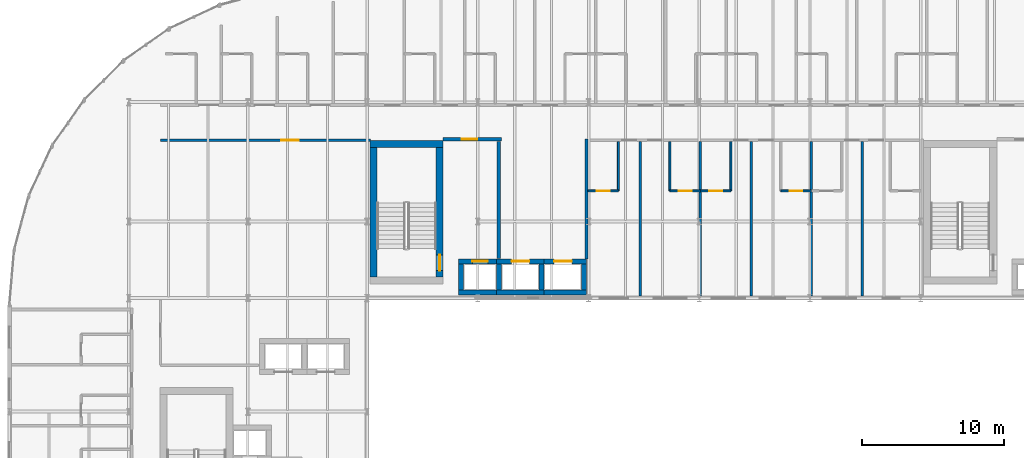
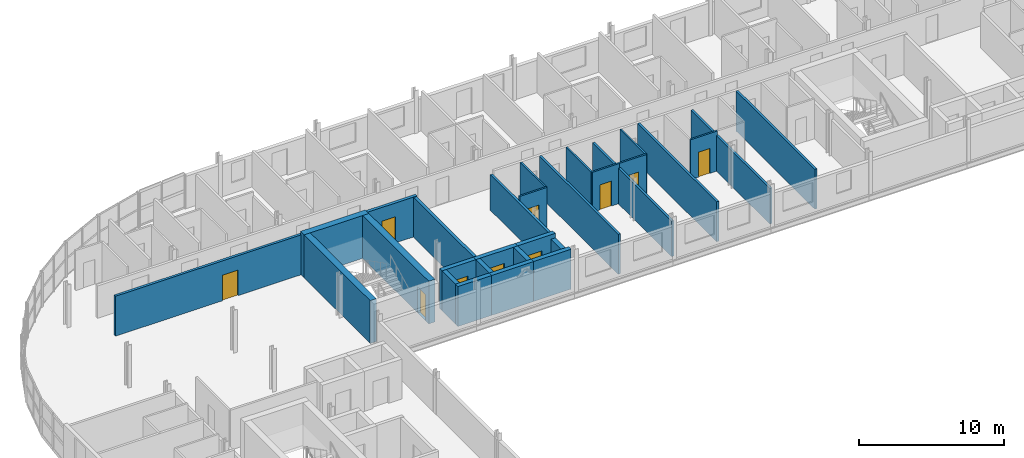
# One storey, part 21 of 34: 29 walls, 10 doors, 10 openings.
"""IFC4 building model written with IfcOpenShell, lengths in metres."""

from ifc_helpers import new_model, si_unit, direction, frame, frame_2d, origin, place, context, subcontext, project, spatial, rectangle, extrude, material, layer, layer_set, type_object, element, fill, save


model = new_model("IFC4")

# Units and contexts
model_context = context("Model", 3, precision=1e-05, world=origin(), true_north=direction((0.0, 1.0)))
body_context = subcontext(model_context, "Body", "Model", "MODEL_VIEW")
ifc_project = project(units=[si_unit("LENGTHUNIT", "METRE"), si_unit("AREAUNIT", "SQUARE_METRE"), si_unit("VOLUMEUNIT", "CUBIC_METRE"), si_unit("PLANEANGLEUNIT", "RADIAN"), si_unit("MASSUNIT", "GRAM", prefix="KILO")], contexts=[model_context])

# Site, building, storey
site_placement = place(None, origin())
site = spatial("IfcSite", under=ifc_project, at=site_placement, CompositionType="ELEMENT")
building_placement = place(site_placement, origin())
building = spatial("IfcBuilding", under=site, at=building_placement, Name="Sefraquen Railside Congress Hotel", CompositionType="ELEMENT")
storey_placement = place(building_placement, frame((0.0, 0.0, 31.800048828125)))
storey = spatial("IfcBuildingStorey", under=building, at=storey_placement, Name="L07", CompositionType="ELEMENT", Elevation=31.800048828125)

# Wall, opening, door
ifc_material_1 = material(Name="Concrete C50/60", Category="concrete")
ifc_layer_1 = layer(ifc_material_1, 0.35009765625)
ifc_layer_set_1 = layer_set([ifc_layer_1], Name="Concrete C50/60")
wall_type_1 = type_object("IfcWallType", Name="TW-CW-350", PredefinedType="SHEAR", material=ifc_layer_set_1)
wall_1_placement = place(storey_placement, frame((31.639892578125, 98.594970703125, 0.0), z_axis=(0.0, 0.0, 1.0), x_axis=(1.0, 0.0, 0.0)))
wall_1 = element("IfcWall", 1, at=wall_1_placement, inside=storey, type_object=wall_type_1, Name="Lift FL-02 shaft wall N L07", PredefinedType="SHEAR", context=body_context, shape_type="SweptSolid", body=[
    extrude(rectangle(XDim=2.690185546875, YDim=0.35009765625, at=frame_2d((1.34521484375, 0.0))), origin(), (0.0, 0.0, 1.0), 3.35986328125),
])
opening_1_placement = place(wall_1_placement, frame((0.969970703125, 0.0, 0.0)))
opening_1 = element("IfcOpeningElement", 2, at=opening_1_placement, cuts=wall_1, Name="Opening LD-01", PredefinedType="OPENING", context=body_context, shape_type="SweptSolid", body=[
    extrude(rectangle(XDim=1.10009765625, YDim=2.199951171875, at=frame_2d((0.550048828125, 1.10009765625))), frame((0.0, 0.18505859375, 0.0), z_axis=(0.0, -1.0, 0.0), x_axis=(1.0, 0.0, 0.0)), (0.0, 0.0, 1.0), 0.3701171875),
])
ifc_material_2 = material(Name="Brushed bronze stainless steel", Category="steel")
door_type_1 = type_object("IfcDoorType", Name="TD-LD-01", OperationType="NOTDEFINED", PredefinedType="DOOR", material=ifc_material_2)
door_1_placement = place(opening_1_placement, origin())
door_1 = element("IfcDoor", 3, at=door_1_placement, inside=storey, type_object=door_type_1, Name="Lift landing door FL-02 L07", OperationType="SLIDING_TO_LEFT", OverallHeight=2.199951171875, OverallWidth=1.10009765625, PredefinedType="DOOR", context=body_context, shape_type="SweptSolid", body=[
    extrude(rectangle(XDim=1.10009765625, YDim=2.199951171875, at=frame_2d((0.550048828125, 1.10009765625))), frame((0.0, 0.02490234375, 0.0), z_axis=(0.0, -1.0, 0.0), x_axis=(1.0, 0.0, 0.0)), (0.0, 0.0, 1.0), 0.050048828125),
])
fill(opening_1, door_1)

# Walls
wall_2_placement = place(storey_placement, frame((31.639892578125, 96.405029296875, 0.0), z_axis=(0.0, 0.0, 1.0), x_axis=(1.0, 0.0, 0.0)))
element("IfcWall", 4, at=wall_2_placement, inside=storey, type_object=wall_type_1, Name="Lift FL-02 shaft wall S L07", PredefinedType="SHEAR", context=body_context, shape_type="SweptSolid", body=[
    extrude(rectangle(XDim=2.690185546875, YDim=0.35009765625, at=frame_2d((1.34521484375, 0.0))), origin(), (0.0, 0.0, 1.0), 3.35986328125),
])
wall_3_placement = place(storey_placement, frame((31.81494140625, 96.580078125, 0.0), z_axis=(0.0, 0.0, 1.0), x_axis=(0.0, 1.0, 0.0)))
element("IfcWall", 5, at=wall_3_placement, inside=storey, type_object=wall_type_1, Name="Lift FL-02 shaft wall W L07", PredefinedType="SHEAR", context=body_context, shape_type="SweptSolid", body=[
    extrude(rectangle(XDim=1.83984375, YDim=0.35009765625, at=frame_2d((0.919921875, 0.0))), origin(), (0.0, 0.0, 1.0), 3.35986328125),
])

# Wall, opening, door
wall_4_placement = place(storey_placement, frame((34.330078125, 98.594970703125, 0.0), z_axis=(0.0, 0.0, 1.0), x_axis=(1.0, 0.0, 0.0)))
wall_4 = element("IfcWall", 6, at=wall_4_placement, inside=storey, type_object=wall_type_1, Name="Lift PL-03 shaft wall N L07", PredefinedType="SHEAR", context=body_context, shape_type="SweptSolid", body=[
    extrude(rectangle(XDim=3.33984375, YDim=0.35009765625, at=frame_2d((1.669921875, 0.0))), origin(), (0.0, 0.0, 1.0), 3.35986328125),
])
opening_2_placement = place(wall_4_placement, frame((1.044921875, 0.0, 0.0)))
opening_2 = element("IfcOpeningElement", 7, at=opening_2_placement, cuts=wall_4, Name="Opening LD-02", PredefinedType="OPENING", context=body_context, shape_type="SweptSolid", body=[
    extrude(rectangle(XDim=1.25, YDim=2.25, at=frame_2d((0.625, 1.125))), frame((0.0, 0.18505859375, 0.0), z_axis=(0.0, -1.0, 0.0), x_axis=(1.0, 0.0, 0.0)), (0.0, 0.0, 1.0), 0.3701171875),
])
ifc_material_3 = material(Name="Brushed stainless steel", Category="steel")
door_type_2 = type_object("IfcDoorType", Name="TD-LD-02", OperationType="NOTDEFINED", PredefinedType="DOOR", material=ifc_material_3)
door_2_placement = place(opening_2_placement, origin())
door_2 = element("IfcDoor", 8, at=door_2_placement, inside=storey, type_object=door_type_2, Name="Lift landing door PL-03 L07", OperationType="SLIDING_TO_LEFT", OverallHeight=2.25, OverallWidth=1.25, PredefinedType="DOOR", context=body_context, shape_type="SweptSolid", body=[
    extrude(rectangle(XDim=1.25, YDim=2.25, at=frame_2d((0.625, 1.125))), frame((0.0, 0.02490234375, 0.0), z_axis=(0.0, -1.0, 0.0), x_axis=(1.0, 0.0, 0.0)), (0.0, 0.0, 1.0), 0.050048828125),
])
fill(opening_2, door_2)

# Walls
wall_5_placement = place(storey_placement, frame((34.330078125, 96.405029296875, 0.0), z_axis=(0.0, 0.0, 1.0), x_axis=(1.0, 0.0, 0.0)))
element("IfcWall", 9, at=wall_5_placement, inside=storey, type_object=wall_type_1, Name="Lift PL-03 shaft wall S L07", PredefinedType="SHEAR", context=body_context, shape_type="SweptSolid", body=[
    extrude(rectangle(XDim=3.33984375, YDim=0.35009765625, at=frame_2d((1.669921875, 0.0))), origin(), (0.0, 0.0, 1.0), 3.35986328125),
])
for number, where, z_axis, x_axis, name in (
    (10, (34.5048828125, 96.580078125, 0.0), (0.0, 0.0, 1.0), (0.0, 1.0, 0.0), "Lift PL-03 shaft wall W L07"),
    (11, (37.4951171875, 96.580078125, 0.0), (0.0, 0.0, 1.0), (0.0, 1.0, 0.0), "Lift PL-03 shaft wall E L07"),
):
    element("IfcWall", number, at=place(storey_placement, frame(where, z_axis=z_axis, x_axis=x_axis)), inside=storey, type_object=wall_type_1, Name=name, PredefinedType="SHEAR", context=body_context, shape_type="SweptSolid", body=[
        extrude(rectangle(XDim=1.83984375, YDim=0.35009765625, at=frame_2d((0.919921875, 0.0))), origin(), (0.0, 0.0, 1.0), 3.35986328125),
    ])

# Wall, opening, door
wall_6_placement = place(storey_placement, frame((37.669921875, 98.594970703125, 0.0), z_axis=(0.0, 0.0, 1.0), x_axis=(1.0, 0.0, 0.0)))
wall_6 = element("IfcWall", 12, at=wall_6_placement, inside=storey, type_object=wall_type_1, Name="Lift PL-04 shaft wall N L07", PredefinedType="SHEAR", context=body_context, shape_type="SweptSolid", body=[
    extrude(rectangle(XDim=2.989990234375, YDim=0.35009765625, at=frame_2d((1.4951171875, 0.0))), origin(), (0.0, 0.0, 1.0), 3.35986328125),
])
opening_3_placement = place(wall_6_placement, frame((0.695068359375, 0.0, 0.0)))
opening_3 = element("IfcOpeningElement", 13, at=opening_3_placement, cuts=wall_6, Name="Opening LD-02", PredefinedType="OPENING", context=body_context, shape_type="SweptSolid", body=[
    extrude(rectangle(XDim=1.25, YDim=2.25, at=frame_2d((0.625, 1.125))), frame((0.0, 0.18505859375, 0.0), z_axis=(0.0, -1.0, 0.0), x_axis=(1.0, 0.0, 0.0)), (0.0, 0.0, 1.0), 0.3701171875),
])
door_3_placement = place(opening_3_placement, origin())
door_3 = element("IfcDoor", 14, at=door_3_placement, inside=storey, type_object=door_type_2, Name="Lift landing door PL-04 L07", OperationType="SLIDING_TO_LEFT", OverallHeight=2.25, OverallWidth=1.25, PredefinedType="DOOR", context=body_context, shape_type="SweptSolid", body=[
    extrude(rectangle(XDim=1.25, YDim=2.25, at=frame_2d((0.625, 1.125))), frame((0.0, 0.02490234375, 0.0), z_axis=(0.0, -1.0, 0.0), x_axis=(1.0, 0.0, 0.0)), (0.0, 0.0, 1.0), 0.050048828125),
])
fill(opening_3, door_3)

# Walls
wall_7_placement = place(storey_placement, frame((37.669921875, 96.405029296875, 0.0), z_axis=(0.0, 0.0, 1.0), x_axis=(1.0, 0.0, 0.0)))
element("IfcWall", 15, at=wall_7_placement, inside=storey, type_object=wall_type_1, Name="Lift PL-04 shaft wall S L07", PredefinedType="SHEAR", context=body_context, shape_type="SweptSolid", body=[
    extrude(rectangle(XDim=2.989990234375, YDim=0.35009765625, at=frame_2d((1.4951171875, 0.0))), origin(), (0.0, 0.0, 1.0), 3.35986328125),
])
wall_8_placement = place(storey_placement, frame((40.485107421875, 96.580078125, 0.0), z_axis=(0.0, 0.0, 1.0), x_axis=(0.0, 1.0, 0.0)))
element("IfcWall", 16, at=wall_8_placement, inside=storey, type_object=wall_type_1, Name="Lift PL-04 shaft wall E L07", PredefinedType="SHEAR", context=body_context, shape_type="SweptSolid", body=[
    extrude(rectangle(XDim=1.83984375, YDim=0.35009765625, at=frame_2d((0.919921875, 0.0))), origin(), (0.0, 0.0, 1.0), 2.989990234375),
])
ifc_layer_2 = layer(ifc_material_1, 0.5)
ifc_layer_set_2 = layer_set([ifc_layer_2], Name="Concrete C50/60")
wall_type_2 = type_object("IfcWallType", Name="TW-CW-500", PredefinedType="SHEAR", material=ifc_layer_set_2)
wall_9_placement = place(storey_placement, frame((25.39990234375, 106.862060546875, 0.0), z_axis=(0.0, 0.0, 1.0), x_axis=(1.0, 0.0, 0.0)))
element("IfcWall", 17, at=wall_9_placement, inside=storey, type_object=wall_type_2, Name="Core shear wall ST-H02 N L07", PredefinedType="SHEAR", context=body_context, shape_type="SweptSolid", body=[
    extrude(rectangle(XDim=5.16015625, YDim=0.5, at=frame_2d((2.580078125, 0.0))), origin(), (0.0, 0.0, 1.0), 3.599853515625),
])
wall_10_placement = place(storey_placement, frame((25.64990234375, 97.5, 0.0), z_axis=(0.0, 0.0, 1.0), x_axis=(0.0, 1.0, 0.0)))
element("IfcWall", 18, at=wall_10_placement, inside=storey, type_object=wall_type_2, Name="Core shear wall ST-H02 W L07", PredefinedType="SHEAR", context=body_context, shape_type="SweptSolid", body=[
    extrude(rectangle(XDim=9.112060546875, YDim=0.5, at=frame_2d((4.55615234375, 0.0))), origin(), (0.0, 0.0, 1.0), 3.599853515625),
])

# Wall, opening, door
wall_11_placement = place(storey_placement, frame((30.31005859375, 97.5, 0.0), z_axis=(0.0, 0.0, 1.0), x_axis=(0.0, 1.0, 0.0)))
wall_11 = element("IfcWall", 19, at=wall_11_placement, inside=storey, type_object=wall_type_2, Name="Core shear wall ST-H02 E L07", PredefinedType="SHEAR", context=body_context, shape_type="SweptSolid", body=[
    extrude(rectangle(XDim=9.112060546875, YDim=0.5, at=frame_2d((4.55615234375, 0.0))), origin(), (0.0, 0.0, 1.0), 3.599853515625),
])
opening_4_placement = place(wall_11_placement, frame((0.43994140625, 0.0, 0.0)))
opening_4 = element("IfcOpeningElement", 20, at=opening_4_placement, cuts=wall_11, Name="Opening FD-04", PredefinedType="OPENING", context=body_context, shape_type="SweptSolid", body=[
    extrude(rectangle(XDim=1.10009765625, YDim=2.199951171875, at=frame_2d((0.550048828125, 1.10009765625))), frame((0.0, 0.260009765625, 0.0), z_axis=(0.0, -1.0, 0.0), x_axis=(1.0, 0.0, 0.0)), (0.0, 0.0, 1.0), 0.52001953125),
])
ifc_material_4 = material(Name="Fire-rated steel", Category="steel")
door_type_3 = type_object("IfcDoorType", Name="TD-FD-04", OperationType="NOTDEFINED", PredefinedType="DOOR", material=ifc_material_4)
door_4_placement = place(opening_4_placement, origin())
door_4 = element("IfcDoor", 21, at=door_4_placement, inside=storey, type_object=door_type_3, Name="Pressurized stair ST-H02 fire door L07", OperationType="SINGLE_SWING_LEFT", OverallHeight=2.199951171875, OverallWidth=1.10009765625, PredefinedType="DOOR", context=body_context, shape_type="SweptSolid", body=[
    extrude(rectangle(XDim=1.10009765625, YDim=2.199951171875, at=frame_2d((0.550048828125, 1.10009765625))), frame((0.0, 0.02490234375, 0.0), z_axis=(0.0, -1.0, 0.0), x_axis=(1.0, 0.0, 0.0)), (0.0, 0.0, 1.0), 0.050048828125),
])
fill(opening_4, door_4)

# Wall
ifc_material_5 = material(Name="Concrete C40/50", Category="concrete")
ifc_layer_3 = layer(ifc_material_5, 0.239990234375)
ifc_layer_set_3 = layer_set([ifc_layer_3], Name="Concrete C40/50")
wall_type_3 = type_object("IfcWallType", Name="TW-FW-240", PredefinedType="STANDARD", material=ifc_layer_set_3)
wall_12_placement = place(storey_placement, frame((34.47998046875, 98.780029296875, 0.0), z_axis=(0.0, 0.0, 1.0), x_axis=(0.0, 1.0, 0.0)))
element("IfcWall", 22, at=wall_12_placement, inside=storey, type_object=wall_type_3, Name="Firefighting Lift Lobby FFL-02 east fire wall L07", PredefinedType="STANDARD", context=body_context, shape_type="SweptSolid", body=[
    extrude(rectangle(XDim=8.239990234375, YDim=0.239990234375, at=frame_2d((4.1201171875, 0.0))), origin(), (0.0, 0.0, 1.0), 3.35986328125),
])

# Wall, opening, door
wall_13_placement = place(storey_placement, frame((30.56005859375, 107.199951171875, 0.0), z_axis=(0.0, 0.0, 1.0), x_axis=(1.0, 0.0, 0.0)))
wall_13 = element("IfcWall", 23, at=wall_13_placement, inside=storey, type_object=wall_type_3, Name="Firefighting Lift Lobby FFL-02 EI 120 separation wall L07", PredefinedType="STANDARD", context=body_context, shape_type="SweptSolid", body=[
    extrude(rectangle(XDim=4.099853515625, YDim=0.239990234375, at=frame_2d((2.0498046875, 0.0))), origin(), (0.0, 0.0, 1.0), 3.35986328125),
])
opening_5_placement = place(wall_13_placement, frame((1.300048828125, 0.0, 0.0)))
opening_5 = element("IfcOpeningElement", 24, at=opening_5_placement, cuts=wall_13, Name="Opening FD-04", PredefinedType="OPENING", context=body_context, shape_type="SweptSolid", body=[
    extrude(rectangle(XDim=1.10009765625, YDim=2.199951171875, at=frame_2d((0.550048828125, 1.10009765625))), frame((0.0, 0.1298828125, 0.0), z_axis=(0.0, -1.0, 0.0), x_axis=(1.0, 0.0, 0.0)), (0.0, 0.0, 1.0), 0.260009765625),
])
door_5_placement = place(opening_5_placement, origin())
door_5 = element("IfcDoor", 25, at=door_5_placement, inside=storey, type_object=door_type_3, Name="Firefighting Lift Lobby FFL-02 self-closing fire door L07", OperationType="SINGLE_SWING_LEFT", OverallHeight=2.199951171875, OverallWidth=1.10009765625, PredefinedType="DOOR", context=body_context, shape_type="SweptSolid", body=[
    extrude(rectangle(XDim=1.10009765625, YDim=2.199951171875, at=frame_2d((0.550048828125, 1.10009765625))), frame((0.0, 0.02490234375, 0.0), z_axis=(0.0, -1.0, 0.0), x_axis=(1.0, 0.0, 0.0)), (0.0, 0.0, 1.0), 0.050048828125),
])
fill(opening_5, door_5)

# Wall
ifc_material_6 = material(Name="Moisture-resistant gypsum board", Category="gypsum")
ifc_layer_4 = layer(ifc_material_6, 0.139892578125)
ifc_layer_set_4 = layer_set([ifc_layer_4], Name="Moisture-resistant gypsum board")
wall_type_4 = type_object("IfcWallType", Name="TW-PW-140", PredefinedType="PARTITIONING", material=ifc_layer_set_4)
wall_14_placement = place(storey_placement, frame((42.89990234375, 103.550048828125, 0.0), z_axis=(0.0, 0.0, 1.0), x_axis=(0.0, 1.0, 0.0)))
element("IfcWall", 26, at=wall_14_placement, inside=storey, type_object=wall_type_4, Name="En-suite bathroom east wall RM-022", PredefinedType="PARTITIONING", context=body_context, shape_type="SweptSolid", body=[
    extrude(rectangle(XDim=3.469970703125, YDim=0.139892578125, at=frame_2d((1.73486328125, 0.0))), origin(), (0.0, 0.0, 1.0), 3.35986328125),
])

# Wall, opening, door
wall_15_placement = place(storey_placement, frame((40.75, 103.550048828125, 0.0), z_axis=(0.0, 0.0, 1.0), x_axis=(1.0, 0.0, 0.0)))
wall_15 = element("IfcWall", 27, at=wall_15_placement, inside=storey, type_object=wall_type_4, Name="En-suite bathroom south wall RM-022", PredefinedType="PARTITIONING", context=body_context, shape_type="SweptSolid", body=[
    extrude(rectangle(XDim=2.14990234375, YDim=0.139892578125, at=frame_2d((1.074951171875, 0.0))), origin(), (0.0, 0.0, 1.0), 3.35986328125),
])
opening_6_placement = place(wall_15_placement, frame((0.625, 0.0, 0.0)))
opening_6 = element("IfcOpeningElement", 28, at=opening_6_placement, cuts=wall_15, Name="Opening ID-02", PredefinedType="OPENING", context=body_context, shape_type="SweptSolid", body=[
    extrude(rectangle(XDim=0.89990234375, YDim=2.10009765625, at=frame_2d((0.449951171875, 1.050048828125))), frame((0.0, 0.079833984375, 0.0), z_axis=(0.0, -1.0, 0.0), x_axis=(1.0, 0.0, 0.0)), (0.0, 0.0, 1.0), 0.159912109375),
])
ifc_material_7 = material(Name="Lacquered cedar joinery", Category="wood")
door_type_4 = type_object("IfcDoorType", Name="TD-ID-02", OperationType="NOTDEFINED", PredefinedType="DOOR", material=ifc_material_7)
door_6_placement = place(opening_6_placement, frame((0.89990234375, 0.0, 0.0), z_axis=(0.0, 0.0, 1.0), x_axis=(-1.0, 0.0, 0.0)))
door_6 = element("IfcDoor", 29, at=door_6_placement, inside=storey, type_object=door_type_4, Name="En-suite bathroom door RM-022", OperationType="SINGLE_SWING_LEFT", OverallHeight=2.10009765625, OverallWidth=0.89990234375, PredefinedType="DOOR", context=body_context, shape_type="SweptSolid", body=[
    extrude(rectangle(XDim=0.89990234375, YDim=2.10009765625, at=frame_2d((0.449951171875, 1.050048828125))), frame((0.0, 0.02490234375, 0.0), z_axis=(0.0, -1.0, 0.0), x_axis=(1.0, 0.0, 0.0)), (0.0, 0.0, 1.0), 0.050048828125),
])
fill(opening_6, door_6)

# Wall
wall_16_placement = place(storey_placement, frame((46.527099609375, 103.550048828125, 0.0), z_axis=(0.0, 0.0, 1.0), x_axis=(0.0, 1.0, 0.0)))
element("IfcWall", 30, at=wall_16_placement, inside=storey, type_object=wall_type_4, Name="En-suite bathroom west wall RM-023", PredefinedType="PARTITIONING", context=body_context, shape_type="SweptSolid", body=[
    extrude(rectangle(XDim=3.469970703125, YDim=0.139892578125, at=frame_2d((1.73486328125, 0.0))), origin(), (0.0, 0.0, 1.0), 3.35986328125),
])

# Wall, opening, door
wall_17_placement = place(storey_placement, frame((46.527099609375, 103.550048828125, 0.0), z_axis=(0.0, 0.0, 1.0), x_axis=(1.0, 0.0, 0.0)))
wall_17 = element("IfcWall", 31, at=wall_17_placement, inside=storey, type_object=wall_type_4, Name="En-suite bathroom south wall RM-023", PredefinedType="PARTITIONING", context=body_context, shape_type="SweptSolid", body=[
    extrude(rectangle(XDim=2.14990234375, YDim=0.139892578125, at=frame_2d((1.074951171875, 0.0))), origin(), (0.0, 0.0, 1.0), 3.35986328125),
])
opening_7_placement = place(wall_17_placement, frame((0.625, 0.0, 0.0)))
opening_7 = element("IfcOpeningElement", 32, at=opening_7_placement, cuts=wall_17, Name="Opening ID-02", PredefinedType="OPENING", context=body_context, shape_type="SweptSolid", body=[
    extrude(rectangle(XDim=0.89990234375, YDim=2.10009765625, at=frame_2d((0.449951171875, 1.050048828125))), frame((0.0, 0.079833984375, 0.0), z_axis=(0.0, -1.0, 0.0), x_axis=(1.0, 0.0, 0.0)), (0.0, 0.0, 1.0), 0.159912109375),
])
door_7_placement = place(opening_7_placement, frame((0.89990234375, 0.0, 0.0), z_axis=(0.0, 0.0, 1.0), x_axis=(-1.0, 0.0, 0.0)))
door_7 = element("IfcDoor", 33, at=door_7_placement, inside=storey, type_object=door_type_4, Name="En-suite bathroom door RM-023", OperationType="SINGLE_SWING_LEFT", OverallHeight=2.10009765625, OverallWidth=0.89990234375, PredefinedType="DOOR", context=body_context, shape_type="SweptSolid", body=[
    extrude(rectangle(XDim=0.89990234375, YDim=2.10009765625, at=frame_2d((0.449951171875, 1.050048828125))), frame((0.0, 0.02490234375, 0.0), z_axis=(0.0, -1.0, 0.0), x_axis=(1.0, 0.0, 0.0)), (0.0, 0.0, 1.0), 0.050048828125),
])
fill(opening_7, door_7)

# Wall
wall_18_placement = place(storey_placement, frame((50.826904296875, 103.550048828125, 0.0), z_axis=(0.0, 0.0, 1.0), x_axis=(0.0, 1.0, 0.0)))
element("IfcWall", 34, at=wall_18_placement, inside=storey, type_object=wall_type_4, Name="En-suite bathroom east wall RM-024", PredefinedType="PARTITIONING", context=body_context, shape_type="SweptSolid", body=[
    extrude(rectangle(XDim=3.469970703125, YDim=0.139892578125, at=frame_2d((1.73486328125, 0.0))), origin(), (0.0, 0.0, 1.0), 3.35986328125),
])

# Wall, opening, door
wall_19_placement = place(storey_placement, frame((48.677001953125, 103.550048828125, 0.0), z_axis=(0.0, 0.0, 1.0), x_axis=(1.0, 0.0, 0.0)))
wall_19 = element("IfcWall", 35, at=wall_19_placement, inside=storey, type_object=wall_type_4, Name="En-suite bathroom south wall RM-024", PredefinedType="PARTITIONING", context=body_context, shape_type="SweptSolid", body=[
    extrude(rectangle(XDim=2.14990234375, YDim=0.139892578125, at=frame_2d((1.074951171875, 0.0))), origin(), (0.0, 0.0, 1.0), 3.35986328125),
])
opening_8_placement = place(wall_19_placement, frame((0.625, 0.0, 0.0)))
opening_8 = element("IfcOpeningElement", 36, at=opening_8_placement, cuts=wall_19, Name="Opening ID-02", PredefinedType="OPENING", context=body_context, shape_type="SweptSolid", body=[
    extrude(rectangle(XDim=0.89990234375, YDim=2.10009765625, at=frame_2d((0.449951171875, 1.050048828125))), frame((0.0, 0.079833984375, 0.0), z_axis=(0.0, -1.0, 0.0), x_axis=(1.0, 0.0, 0.0)), (0.0, 0.0, 1.0), 0.159912109375),
])
door_8_placement = place(opening_8_placement, frame((0.89990234375, 0.0, 0.0), z_axis=(0.0, 0.0, 1.0), x_axis=(-1.0, 0.0, 0.0)))
door_8 = element("IfcDoor", 37, at=door_8_placement, inside=storey, type_object=door_type_4, Name="En-suite bathroom door RM-024", OperationType="SINGLE_SWING_LEFT", OverallHeight=2.10009765625, OverallWidth=0.89990234375, PredefinedType="DOOR", context=body_context, shape_type="SweptSolid", body=[
    extrude(rectangle(XDim=0.89990234375, YDim=2.10009765625, at=frame_2d((0.449951171875, 1.050048828125))), frame((0.0, 0.02490234375, 0.0), z_axis=(0.0, -1.0, 0.0), x_axis=(1.0, 0.0, 0.0)), (0.0, 0.0, 1.0), 0.050048828125),
])
fill(opening_8, door_8)

wall_20_placement = place(storey_placement, frame((54.343017578125, 103.550048828125, 0.0), z_axis=(0.0, 0.0, 1.0), x_axis=(1.0, 0.0, 0.0)))
wall_20 = element("IfcWall", 38, at=wall_20_placement, inside=storey, type_object=wall_type_4, Name="En-suite bathroom south wall RM-025", PredefinedType="PARTITIONING", context=body_context, shape_type="SweptSolid", body=[
    extrude(rectangle(XDim=2.14990234375, YDim=0.139892578125, at=frame_2d((1.074951171875, 0.0))), origin(), (0.0, 0.0, 1.0), 3.35986328125),
])
opening_9_placement = place(wall_20_placement, frame((0.625, 0.0, 0.0)))
opening_9 = element("IfcOpeningElement", 39, at=opening_9_placement, cuts=wall_20, Name="Opening ID-02", PredefinedType="OPENING", context=body_context, shape_type="SweptSolid", body=[
    extrude(rectangle(XDim=0.89990234375, YDim=2.10009765625, at=frame_2d((0.449951171875, 1.050048828125))), frame((0.0, 0.079833984375, 0.0), z_axis=(0.0, -1.0, 0.0), x_axis=(1.0, 0.0, 0.0)), (0.0, 0.0, 1.0), 0.159912109375),
])
door_9_placement = place(opening_9_placement, frame((0.89990234375, 0.0, 0.0), z_axis=(0.0, 0.0, 1.0), x_axis=(-1.0, 0.0, 0.0)))
door_9 = element("IfcDoor", 40, at=door_9_placement, inside=storey, type_object=door_type_4, Name="En-suite bathroom door RM-025", OperationType="SINGLE_SWING_LEFT", OverallHeight=2.10009765625, OverallWidth=0.89990234375, PredefinedType="DOOR", context=body_context, shape_type="SweptSolid", body=[
    extrude(rectangle(XDim=0.89990234375, YDim=2.10009765625, at=frame_2d((0.449951171875, 1.050048828125))), frame((0.0, 0.02490234375, 0.0), z_axis=(0.0, -1.0, 0.0), x_axis=(1.0, 0.0, 0.0)), (0.0, 0.0, 1.0), 0.050048828125),
])
fill(opening_9, door_9)

# Walls
ifc_material_8 = material(Name="Acoustic gypsum board on metal stud", Category="gypsum")
ifc_layer_5 = layer(ifc_material_8, 0.179931640625)
ifc_layer_set_5 = layer_set([ifc_layer_5], Name="Acoustic gypsum board on metal stud")
wall_type_5 = type_object("IfcWallType", Name="TW-PW-180", PredefinedType="PARTITIONING", material=ifc_layer_set_5)
wall_21_placement = place(storey_placement, frame((44.43798828125, 96.139892578125, 0.0), z_axis=(0.0, 0.0, 1.0), x_axis=(0.0, 1.0, 0.0)))
element("IfcWall", 41, at=wall_21_placement, inside=storey, type_object=wall_type_5, Name="South guest room demising wall RM-022", PredefinedType="PARTITIONING", context=body_context, shape_type="SweptSolid", body=[
    extrude(rectangle(XDim=10.880126953125, YDim=0.179931640625, at=frame_2d((5.43994140625, 0.0))), origin(), (0.0, 0.0, 1.0), 3.35986328125),
])
wall_22_placement = place(storey_placement, frame((48.677001953125, 96.139892578125, 0.0), z_axis=(0.0, 0.0, 1.0), x_axis=(0.0, 1.0, 0.0)))
element("IfcWall", 42, at=wall_22_placement, inside=storey, type_object=wall_type_5, Name="South guest room demising wall RM-023", PredefinedType="PARTITIONING", context=body_context, shape_type="SweptSolid", body=[
    extrude(rectangle(XDim=10.880126953125, YDim=0.179931640625, at=frame_2d((5.43994140625, 0.0))), origin(), (0.0, 0.0, 1.0), 2.989990234375),
])
wall_23_placement = place(storey_placement, frame((52.2548828125, 96.139892578125, 0.0), z_axis=(0.0, 0.0, 1.0), x_axis=(0.0, 1.0, 0.0)))
element("IfcWall", 43, at=wall_23_placement, inside=storey, type_object=wall_type_5, Name="South guest room demising wall RM-024", PredefinedType="PARTITIONING", context=body_context, shape_type="SweptSolid", body=[
    extrude(rectangle(XDim=10.880126953125, YDim=0.179931640625, at=frame_2d((5.43994140625, 0.0))), origin(), (0.0, 0.0, 1.0), 3.35986328125),
])
wall_24_placement = place(storey_placement, frame((56.492919921875, 96.139892578125, 0.0), z_axis=(0.0, 0.0, 1.0), x_axis=(0.0, 1.0, 0.0)))
element("IfcWall", 44, at=wall_24_placement, inside=storey, type_object=wall_type_5, Name="South guest room demising wall RM-025", PredefinedType="PARTITIONING", context=body_context, shape_type="SweptSolid", body=[
    extrude(rectangle(XDim=10.880126953125, YDim=0.179931640625, at=frame_2d((5.43994140625, 0.0))), origin(), (0.0, 0.0, 1.0), 2.989990234375),
])
wall_25_placement = place(storey_placement, frame((60.072021484375, 96.139892578125, 0.0), z_axis=(0.0, 0.0, 1.0), x_axis=(0.0, 1.0, 0.0)))
element("IfcWall", 45, at=wall_25_placement, inside=storey, type_object=wall_type_5, Name="South guest room demising wall RM-026", PredefinedType="PARTITIONING", context=body_context, shape_type="SweptSolid", body=[
    extrude(rectangle(XDim=10.880126953125, YDim=0.179931640625, at=frame_2d((5.43994140625, 0.0))), origin(), (0.0, 0.0, 1.0), 3.35986328125),
])

# Wall, opening, door
ifc_layer_6 = layer(ifc_material_8, 0.199951171875)
ifc_layer_set_6 = layer_set([ifc_layer_6], Name="Acoustic gypsum board on metal stud")
wall_type_6 = type_object("IfcWallType", Name="TW-PW-200", PredefinedType="PARTITIONING", material=ifc_layer_set_6)
wall_26_placement = place(storey_placement, frame((10.64990234375, 107.1201171875, 0.0), z_axis=(0.0, 0.0, 1.0), x_axis=(1.0, 0.0, 0.0)))
wall_26 = element("IfcWall", 46, at=wall_26_placement, inside=storey, type_object=wall_type_6, Name="Hotel L07 south-west corridor fire-rated partition", PredefinedType="PARTITIONING", context=body_context, shape_type="SweptSolid", body=[
    extrude(rectangle(XDim=14.800048828125, YDim=0.199951171875, at=frame_2d((7.39990234375, 0.0))), origin(), (0.0, 0.0, 1.0), 3.35986328125),
])
opening_10_placement = place(wall_26_placement, frame((8.5, 0.0, 0.0)))
opening_10 = element("IfcOpeningElement", 47, at=opening_10_placement, cuts=wall_26, Name="Opening ID-05", PredefinedType="OPENING", context=body_context, shape_type="SweptSolid", body=[
    extrude(rectangle(XDim=1.25, YDim=2.14990234375, at=frame_2d((0.625, 1.074951171875))), frame((0.0, 0.10986328125, 0.0), z_axis=(0.0, -1.0, 0.0), x_axis=(1.0, 0.0, 0.0)), (0.0, 0.0, 1.0), 0.219970703125),
])
ifc_material_9 = material(Name="Brushed steel", Category="steel")
door_type_5 = type_object("IfcDoorType", Name="TD-ID-05", OperationType="NOTDEFINED", PredefinedType="DOOR", material=ifc_material_9)
door_10_placement = place(opening_10_placement, frame((1.25, 0.0, 0.0), z_axis=(0.0, 0.0, 1.0), x_axis=(-1.0, 0.0, 0.0)))
door_10 = element("IfcDoor", 48, at=door_10_placement, inside=storey, type_object=door_type_5, Name="Valet pantry service door L07", OperationType="SINGLE_SWING_LEFT", OverallHeight=2.14990234375, OverallWidth=1.25, PredefinedType="DOOR", context=body_context, shape_type="SweptSolid", body=[
    extrude(rectangle(XDim=1.25, YDim=2.14990234375, at=frame_2d((0.625, 1.074951171875))), frame((0.0, 0.02490234375, 0.0), z_axis=(0.0, -1.0, 0.0), x_axis=(1.0, 0.0, 0.0)), (0.0, 0.0, 1.0), 0.050048828125),
])
fill(opening_10, door_10)

# Wall
wall_27_placement = place(storey_placement, frame((40.659912109375, 98.77001953125, 0.0), z_axis=(0.0, 0.0, 1.0), x_axis=(0.0, 1.0, 0.0)))
element("IfcWall", 49, at=wall_27_placement, inside=storey, type_object=wall_type_6, Name="Hotel L07 south-mid west end fire-rated partition", PredefinedType="PARTITIONING", context=body_context, shape_type="SweptSolid", body=[
    extrude(rectangle(XDim=8.449951171875, YDim=0.199951171875, at=frame_2d((4.22509765625, 0.0))), origin(), (0.0, 0.0, 1.0), 2.989990234375),
])

save(model, "model.ifc")
